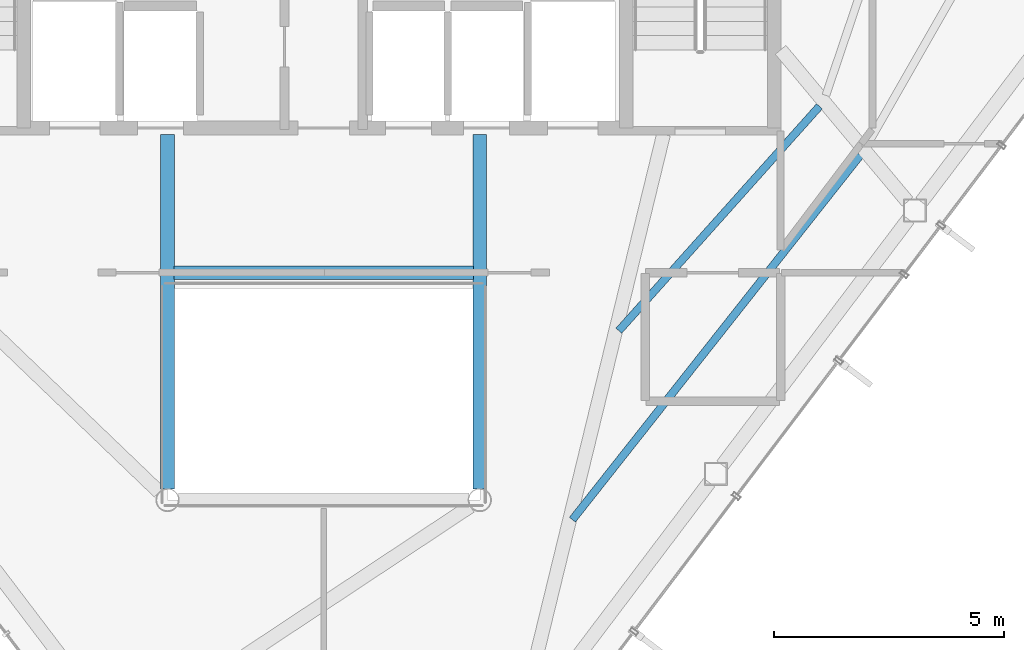
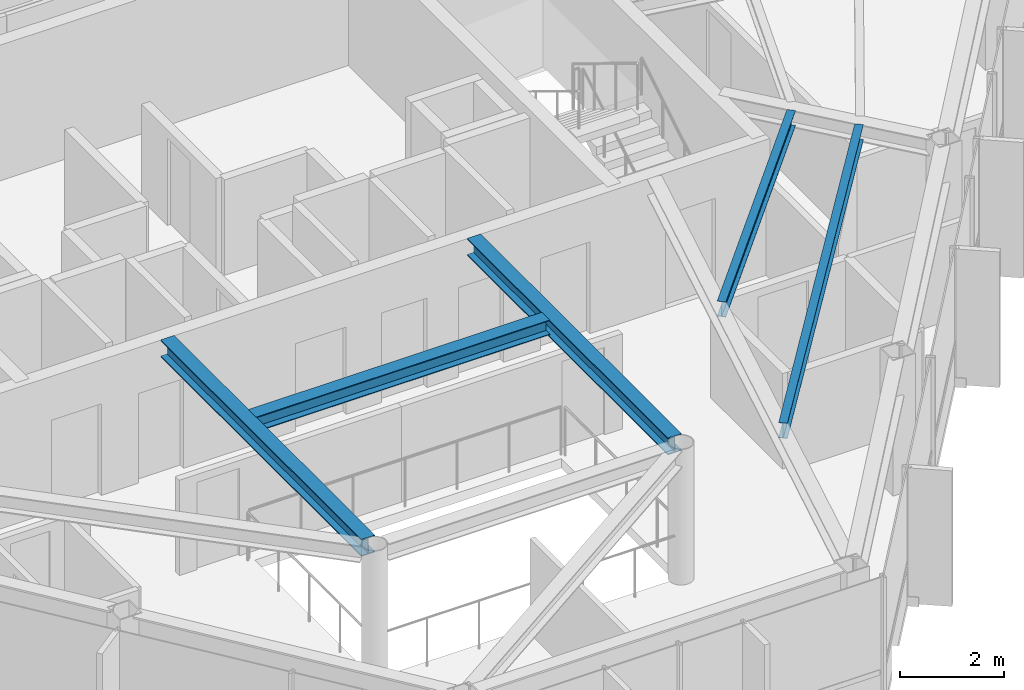
# One storey, part 7 of 24: 5 beams.
"""IFC4 building model written with IfcOpenShell, lengths in metres."""

from ifc_helpers import new_model, si_unit, direction, frame, origin, origin_2d, place, context, subcontext, project, spatial, i_section, extrude, material, material_profile, profile_set, type_object, element, save


model = new_model("IFC4")

# Units and contexts
model_context = context("Model", 3, precision=1e-05, world=origin(), true_north=direction((0.0, 1.0)))
body_context = subcontext(model_context, "Body", "Model", "MODEL_VIEW")
ifc_project = project(units=[si_unit("LENGTHUNIT", "METRE"), si_unit("AREAUNIT", "SQUARE_METRE"), si_unit("VOLUMEUNIT", "CUBIC_METRE"), si_unit("PLANEANGLEUNIT", "RADIAN"), si_unit("MASSUNIT", "GRAM", prefix="KILO")], contexts=[model_context])

# Site, building, storey
site_placement = place(None, origin())
site = spatial("IfcSite", under=ifc_project, at=site_placement, CompositionType="ELEMENT")
building_placement = place(site_placement, origin())
building = spatial("IfcBuilding", under=site, at=building_placement, Name="Zarrinselat Tower", CompositionType="ELEMENT")
storey_placement = place(building_placement, frame((0.0, 0.0, 272.0)))
storey = spatial("IfcBuildingStorey", under=building, at=storey_placement, Name="L69", CompositionType="ELEMENT", Elevation=272.0)

# Beams
ifc_material_1 = material(Name="Steel S355J2", Category="steel")
ifc_material_profile_1 = material_profile(ifc_material_1, i_section(OverallWidth=0.300048828125, OverallDepth=0.35009765625, WebThickness=0.010009765625, FlangeThickness=0.017578125, at=origin_2d()), Name="HEA 360")
ifc_profile_set_1 = profile_set([ifc_material_profile_1], Name="Steel S355J2")
beam_type_1 = type_object("IfcBeamType", Name="BM-HEA360", PredefinedType="LINTEL", material=ifc_profile_set_1)
beam_1_placement = place(storey_placement, frame((35.139892578125, 30.14990234375, 3.0048828125), z_axis=(1.0, 0.0, 0.0), x_axis=(0.0, 1.0, 0.0)))
element("IfcBeam", 1, at=beam_1_placement, inside=storey, type_object=beam_type_1, Name="L69 Lift Lobby Ceiling Beam", PredefinedType="LINTEL", context=body_context, shape_type="SweptSolid", body=[
    extrude(i_section(OverallWidth=0.300048828125, OverallDepth=0.35009765625, WebThickness=0.010009765625, FlangeThickness=0.017578125, at=origin_2d()), origin(), (0.0, 0.0, 1.0), 6.52001953125),
])
ifc_material_2 = material(Name="Steel S355J2", Category="steel")
ifc_material_profile_2 = material_profile(ifc_material_2, i_section(OverallWidth=0.300048828125, OverallDepth=0.39990234375, WebThickness=0.013427734375, FlangeThickness=0.02392578125, at=origin_2d()), Name="HEB 400")
ifc_profile_set_2 = profile_set([ifc_material_profile_2], Name="Steel S355J2")
beam_type_2 = type_object("IfcBeamType", Name="BM-HEB400", PredefinedType="BEAM", material=ifc_profile_set_2)
for number, where, z_axis, x_axis, name in (
    (2, (35.0, 25.43994140625, 2.97998046875), (0.0, 1.0, 0.0), (-1.0, 0.0, 0.0), "L69 Atrium Edge Beam W"),
    (3, (41.800048828125, 25.43994140625, 2.97998046875), (0.0, 1.0, 0.0), (-1.0, 0.0, 0.0), "L69 Atrium Edge Beam E"),
):
    element("IfcBeam", number, at=place(storey_placement, frame(where, z_axis=z_axis, x_axis=x_axis)), inside=storey, type_object=beam_type_2, Name=name, PredefinedType="BEAM", context=body_context, shape_type="SweptSolid", body=[
        extrude(i_section(OverallWidth=0.300048828125, OverallDepth=0.39990234375, WebThickness=0.013427734375, FlangeThickness=0.02392578125, at=origin_2d()), origin(), (0.0, 0.0, 1.0), 7.719970703125),
    ])
ifc_material_3 = material(Name="Steel S355J2", Category="steel")
ifc_material_profile_3 = material_profile(ifc_material_3, i_section(OverallWidth=0.169921875, OverallDepth=0.360107421875, WebThickness=0.008056640625, FlangeThickness=0.0126953125, at=origin_2d()), Name="IPE 360")
ifc_profile_set_3 = profile_set([ifc_material_profile_3], Name="Steel S355J2")
beam_type_3 = type_object("IfcBeamType", Name="BM-IPE360", PredefinedType="JOIST", material=ifc_profile_set_3)
beam_2_placement = place(storey_placement, frame((43.81640625, 24.77099609375, 3.0), z_axis=(0.619796873503, 0.784762279672, 0.0), x_axis=(-0.784762279672, 0.619796873503, 0.0)))
element("IfcBeam", 4, at=beam_2_placement, inside=storey, type_object=beam_type_3, Name="L69 Composite Floor Joist 3-1", PredefinedType="JOIST", context=body_context, shape_type="SweptSolid", body=[
    extrude(i_section(OverallWidth=0.169921875, OverallDepth=0.360107421875, WebThickness=0.008056640625, FlangeThickness=0.0126953125, at=origin_2d()), origin(), (0.0, 0.0, 1.0), 10.115478515625),
])
beam_3_placement = place(storey_placement, frame((44.826904296875, 28.885986328125, 3.0), z_axis=(0.666520437834, 0.745486757729, 0.0), x_axis=(-0.745486757729, 0.666520437834, 0.0)))
element("IfcBeam", 5, at=beam_3_placement, inside=storey, type_object=beam_type_3, Name="L69 Composite Floor Joist 3-2", PredefinedType="JOIST", context=body_context, shape_type="SweptSolid", body=[
    extrude(i_section(OverallWidth=0.169921875, OverallDepth=0.360107421875, WebThickness=0.008056640625, FlangeThickness=0.0126953125, at=origin_2d()), origin(), (0.0, 0.0, 1.0), 6.554443359375),
])

save(model, "model.ifc")
